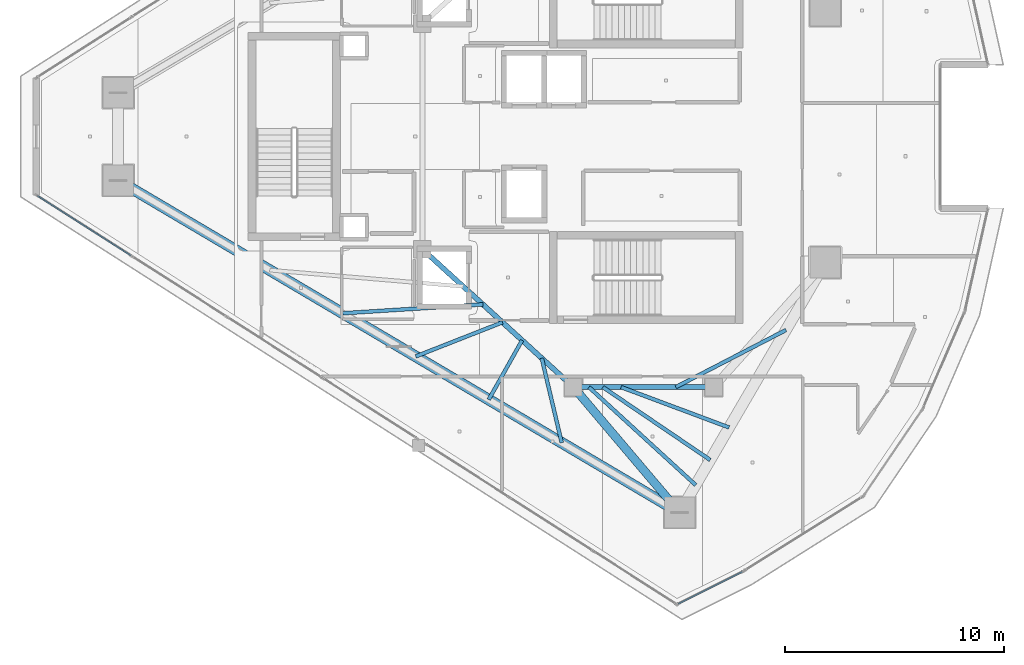
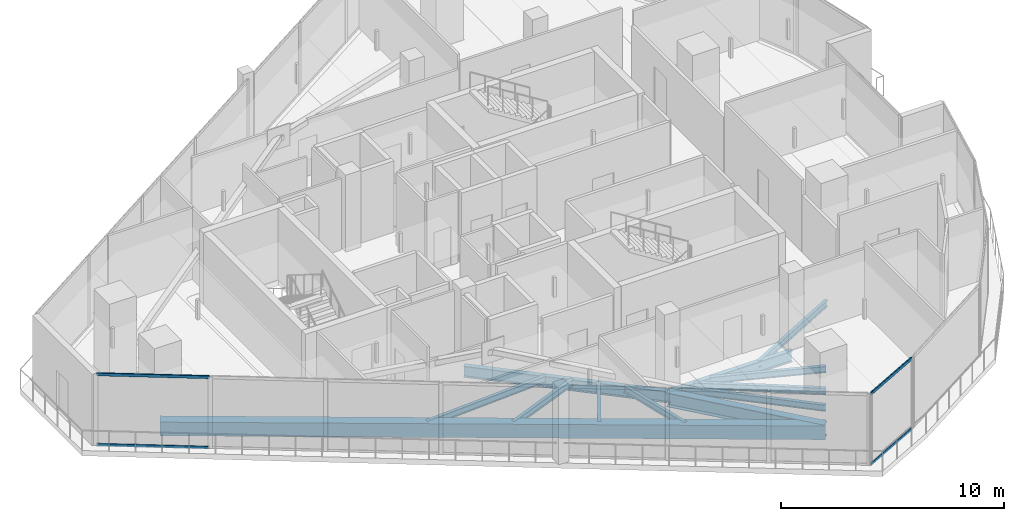
# One storey, part 5 of 25: 12 beams, 4 members, 2 elements without a shape of their own.
"""IFC4 building model written with IfcOpenShell, lengths in metres."""

from ifc_helpers import new_model, si_unit, direction, frame, origin, origin_2d, place, context, subcontext, project, spatial, rectangle, hollow_rectangle, i_section, extrude, material, layer, layer_set, material_profile, profile_set, type_object, element, aggregate, save


model = new_model("IFC4")

# Units and contexts
model_context = context("Model", 3, precision=1e-05, world=origin(), true_north=direction((0.0, 1.0)))
body_context = subcontext(model_context, "Body", "Model", "MODEL_VIEW")
ifc_project = project(units=[si_unit("LENGTHUNIT", "METRE"), si_unit("AREAUNIT", "SQUARE_METRE"), si_unit("VOLUMEUNIT", "CUBIC_METRE"), si_unit("PLANEANGLEUNIT", "RADIAN"), si_unit("MASSUNIT", "GRAM", prefix="KILO")], contexts=[model_context])

# Site, building, storey
site_placement = place(None, origin())
site = spatial("IfcSite", under=ifc_project, at=site_placement, CompositionType="ELEMENT")
building_placement = place(site_placement, origin())
building = spatial("IfcBuilding", under=site, at=building_placement, Name="Qorvath Tower", CompositionType="ELEMENT")
storey_placement = place(building_placement, frame((0.0, 0.0, 314.39990234375)))
storey = spatial("IfcBuildingStorey", under=building, at=storey_placement, Name="L73", CompositionType="ELEMENT", Elevation=314.39990234375)

# Beams
ifc_material_1 = material(Name="Steel ASTM A992 Grade 50", Category="steel")
ifc_material_profile_1 = material_profile(ifc_material_1, i_section(OverallWidth=0.381103515625, OverallDepth=0.77294921875, WebThickness=0.0166015625, FlangeThickness=0.027099609375, FilletRadius=0.01904296875, at=origin_2d()), Name="W30x173")
ifc_profile_set_1 = profile_set([ifc_material_profile_1], Name="Steel ASTM A992 Grade 50")
beam_type_1 = type_object("IfcBeamType", Name="BM-FG3", PredefinedType="BEAM", material=ifc_profile_set_1)
beam_1_placement = place(storey_placement, frame((-23.60009765625, -11.449951171875, -0.67626953125), z_axis=(0.646321389876, -0.763065305848, 0.0), x_axis=(0.763065305848, 0.646321389876, 0.0)))
element("IfcBeam", 1, at=beam_1_placement, inside=storey, type_object=beam_type_1, Name="Radial Floor Girder CC4-MC3 L73", PredefinedType="BEAM", context=body_context, shape_type="SweptSolid", body=[
    extrude(i_section(OverallWidth=0.381103515625, OverallDepth=0.77294921875, WebThickness=0.0166015625, FlangeThickness=0.027099609375, FilletRadius=0.01904296875, at=origin_2d()), origin(), (0.0, 0.0, 1.0), 7.50341796875),
])
ifc_material_2 = material(Name="Steel ASTM A992 Grade 50", Category="steel")
ifc_material_profile_2 = material_profile(ifc_material_2, i_section(OverallWidth=0.22998046875, OverallDepth=0.616943359375, WebThickness=0.01318359375, FlangeThickness=0.022216796875, FilletRadius=0.014892578125, at=origin_2d()), Name="W24x94")
ifc_profile_set_2 = profile_set([ifc_material_profile_2], Name="Steel ASTM A992 Grade 50")
beam_type_2 = type_object("IfcBeamType", Name="BM-FG6", PredefinedType="BEAM", material=ifc_profile_set_2)
beam_2_placement = place(storey_placement, frame((-17.199951171875, -11.449951171875, -0.598388671875), z_axis=(-1.0, 0.0, 0.0), x_axis=(0.0, -1.0, 0.0)))
element("IfcBeam", 2, at=beam_2_placement, inside=storey, type_object=beam_type_2, Name="Core Ring Girder CC3-CC4 L73", PredefinedType="BEAM", context=body_context, shape_type="SweptSolid", body=[
    extrude(i_section(OverallWidth=0.22998046875, OverallDepth=0.616943359375, WebThickness=0.01318359375, FlangeThickness=0.022216796875, FilletRadius=0.014892578125, at=origin_2d()), origin(), (0.0, 0.0, 1.0), 6.400146484375),
])
beam_3_placement = place(storey_placement, frame((-23.60009765625, -11.449951171875, -0.598388671875), z_axis=(-0.73847813985, 0.6742774184, 0.0), x_axis=(-0.6742774184, -0.73847813985, 0.0)))
element("IfcBeam", 3, at=beam_3_placement, inside=storey, type_object=beam_type_2, Name="Core Ring Girder CC4-CC6 L73", PredefinedType="BEAM", context=body_context, shape_type="SweptSolid", body=[
    extrude(i_section(OverallWidth=0.22998046875, OverallDepth=0.616943359375, WebThickness=0.01318359375, FlangeThickness=0.022216796875, FilletRadius=0.014892578125, at=origin_2d()), origin(), (0.0, 0.0, 1.0), 9.343505859375),
])
ifc_material_3 = material(Name="Steel ASTM A992 Grade 50", Category="steel")
ifc_material_profile_3 = material_profile(ifc_material_3, i_section(OverallWidth=0.1708984375, OverallDepth=0.35107421875, WebThickness=0.0068359375, FlangeThickness=0.009765625, FilletRadius=0.010009765625, at=origin_2d()), Name="W14x30")
ifc_profile_set_3 = profile_set([ifc_material_profile_3], Name="Steel ASTM A992 Grade 50")
beam_type_3 = type_object("IfcBeamType", Name="BM-FJ4", PredefinedType="JOIST", material=ifc_profile_set_3)
beam_4_placement = place(storey_placement, frame((-18.927978515625, -11.449951171875, -0.46533203125), z_axis=(0.887840529015, 0.460151274082, 0.0), x_axis=(-0.460151274082, 0.887840529015, 0.0)))
element("IfcBeam", 4, at=beam_4_placement, inside=storey, type_object=beam_type_3, Name="Composite Floor Joist SE2 L73", PredefinedType="JOIST", context=body_context, shape_type="SweptSolid", body=[
    extrude(i_section(OverallWidth=0.1708984375, OverallDepth=0.35107421875, WebThickness=0.0068359375, FlangeThickness=0.009765625, FilletRadius=0.010009765625, at=origin_2d()), origin(), (0.0, 0.0, 1.0), 5.670654296875),
])
beam_5_placement = place(storey_placement, frame((-21.424072265625, -11.449951171875, -0.46533203125), z_axis=(0.936775909139, -0.349929844478, 0.0), x_axis=(0.349929844478, 0.936775909139, 0.0)))
element("IfcBeam", 5, at=beam_5_placement, inside=storey, type_object=beam_type_3, Name="Composite Floor Joist SE5 L73", PredefinedType="JOIST", context=body_context, shape_type="SweptSolid", body=[
    extrude(i_section(OverallWidth=0.1708984375, OverallDepth=0.35107421875, WebThickness=0.0068359375, FlangeThickness=0.009765625, FilletRadius=0.010009765625, at=origin_2d()), origin(), (0.0, 0.0, 1.0), 5.268798828125),
])
beam_6_placement = place(storey_placement, frame((-22.256103515625, -11.449951171875, -0.46533203125), z_axis=(0.827400561462, -0.56161224247, 0.0), x_axis=(0.56161224247, 0.827400561462, 0.0)))
element("IfcBeam", 6, at=beam_6_placement, inside=storey, type_object=beam_type_3, Name="Composite Floor Joist SE6 L73", PredefinedType="JOIST", context=body_context, shape_type="SweptSolid", body=[
    extrude(i_section(OverallWidth=0.1708984375, OverallDepth=0.35107421875, WebThickness=0.0068359375, FlangeThickness=0.009765625, FilletRadius=0.010009765625, at=origin_2d()), origin(), (0.0, 0.0, 1.0), 5.925537109375),
])
beam_7_placement = place(storey_placement, frame((-22.89599609375, -11.449951171875, -0.46533203125), z_axis=(0.737232260457, -0.675639396528, 0.0), x_axis=(0.675639396528, 0.737232260457, 0.0)))
element("IfcBeam", 7, at=beam_7_placement, inside=storey, type_object=beam_type_3, Name="Composite Floor Joist SE7 L73", PredefinedType="JOIST", context=body_context, shape_type="SweptSolid", body=[
    extrude(i_section(OverallWidth=0.1708984375, OverallDepth=0.35107421875, WebThickness=0.0068359375, FlangeThickness=0.009765625, FilletRadius=0.010009765625, at=origin_2d()), origin(), (0.0, 0.0, 1.0), 6.615478515625),
])
beam_8_placement = place(storey_placement, frame((-27.739990234375, -7.669921875, -0.46533203125), z_axis=(-0.998006998641, -0.063103333222, 0.0), x_axis=(0.063103333222, -0.998006998641, 0.0)))
element("IfcBeam", 8, at=beam_8_placement, inside=storey, type_object=beam_type_3, Name="Composite Floor Joist SW3 L73", PredefinedType="JOIST", context=body_context, shape_type="SweptSolid", body=[
    extrude(i_section(OverallWidth=0.1708984375, OverallDepth=0.35107421875, WebThickness=0.0068359375, FlangeThickness=0.009765625, FilletRadius=0.010009765625, at=origin_2d()), origin(), (0.0, 0.0, 1.0), 6.41455078125),
])
beam_9_placement = place(storey_placement, frame((-26.843017578125, -8.489013671875, -0.46533203125), z_axis=(-0.930720832638, -0.365730408489, 0.0), x_axis=(0.365730408489, -0.930720832638, 0.0)))
element("IfcBeam", 9, at=beam_9_placement, inside=storey, type_object=beam_type_3, Name="Composite Floor Joist SW4 L73", PredefinedType="JOIST", context=body_context, shape_type="SweptSolid", body=[
    extrude(i_section(OverallWidth=0.1708984375, OverallDepth=0.35107421875, WebThickness=0.0068359375, FlangeThickness=0.009765625, FilletRadius=0.010009765625, at=origin_2d()), origin(), (0.0, 0.0, 1.0), 4.259033203125),
])
beam_10_placement = place(storey_placement, frame((-25.946044921875, -9.30810546875, -0.46533203125), z_axis=(-0.490626385489, -0.871370041866, 0.0), x_axis=(0.871370041866, -0.490626385489, 0.0)))
element("IfcBeam", 10, at=beam_10_placement, inside=storey, type_object=beam_type_3, Name="Composite Floor Joist SW5 L73", PredefinedType="JOIST", context=body_context, shape_type="SweptSolid", body=[
    extrude(i_section(OverallWidth=0.1708984375, OverallDepth=0.35107421875, WebThickness=0.0068359375, FlangeThickness=0.009765625, FilletRadius=0.010009765625, at=origin_2d()), origin(), (0.0, 0.0, 1.0), 3.110595703125),
])
beam_11_placement = place(storey_placement, frame((-25.049072265625, -10.126953125, -0.46533203125), z_axis=(0.22966321917, -0.973270160726, 0.0), x_axis=(0.973270160726, 0.22966321917, 0.0)))
element("IfcBeam", 11, at=beam_11_placement, inside=storey, type_object=beam_type_3, Name="Composite Floor Joist SW6 L73", PredefinedType="JOIST", context=body_context, shape_type="SweptSolid", body=[
    extrude(i_section(OverallWidth=0.1708984375, OverallDepth=0.35107421875, WebThickness=0.0068359375, FlangeThickness=0.009765625, FilletRadius=0.010009765625, at=origin_2d()), origin(), (0.0, 0.0, 1.0), 3.969482421875),
])
ifc_material_4 = material(Name="Concrete C45/55", Category="concrete")
ifc_material_profile_4 = material_profile(ifc_material_4, rectangle(XDim=0.5, YDim=0.75, at=origin_2d()), Name="RCB 750x500")
ifc_profile_set_4 = profile_set([ifc_material_profile_4], Name="Concrete C45/55")
beam_type_4 = type_object("IfcBeamType", Name="BM-RCB3", PredefinedType="SPANDREL", material=ifc_profile_set_4)
beam_12_placement = place(storey_placement, frame((-44.402587890625, -2.007568359375, -0.664794921875), z_axis=(0.860780849348, -0.508975765038, 0.0), x_axis=(0.508975765038, 0.860780849348, 0.0)))
element("IfcBeam", 12, at=beam_12_placement, inside=storey, type_object=beam_type_4, Name="Perimeter Loggia Frame Beam MC2-MC3 L73", PredefinedType="SPANDREL", context=body_context, shape_type="SweptSolid", body=[
    extrude(rectangle(XDim=0.5, YDim=0.75, at=origin_2d()), origin(), (0.0, 0.0, 1.0), 29.801025390625),
])

# Curtain wall, members
ifc_material_5 = material(Name="Anodised aluminium and triple low-E glass", Category="aluminium")
ifc_layer = layer(ifc_material_5, 0.179931640625)
ifc_layer_set = layer_set([ifc_layer], Name="CW-SYS-4")
curtain_wall_type = type_object("IfcCurtainWallType", Name="CW-SYS-4", PredefinedType="NOTDEFINED", material=ifc_layer_set)
curtain_wall_1_placement = place(storey_placement, origin())
curtain_wall_1 = element("IfcCurtainWall", 13, at=curtain_wall_1_placement, inside=storey, type_object=curtain_wall_type, Name="Curtain Wall CW-4 CW-T-L73-2.1", PredefinedType="NOTDEFINED")
ifc_material_6 = material(Name="Anodised aluminium 6063-T6", Category="aluminium")
ifc_material_profile_5 = material_profile(ifc_material_6, hollow_rectangle(XDim=0.06494140625, YDim=0.159912109375, WallThickness=0.00341796875, InnerFilletRadius=0.00341796875, OuterFilletRadius=0.007080078125, at=origin_2d()), Name="CWT 160x65")
ifc_profile_set_5 = profile_set([ifc_material_profile_5], Name="Anodised aluminium 6063-T6")
member_type = type_object("IfcMemberType", Name="CWT-160", PredefinedType="USERDEFINED", material=ifc_profile_set_5)
member_1_placement = place(storey_placement, frame((-48.08349609375, -2.71337890625, 0.032470703125), z_axis=(0.842609815083, -0.53852455796, 0.0), x_axis=(0.53852455796, 0.842609815083, 0.0)))
member_1 = element("IfcMember", 14, at=member_1_placement, type_object=member_type, Name="CW-4 transom 1.1", ObjectType="TRANSOM", PredefinedType="USERDEFINED", context=body_context, shape_type="SweptSolid", body=[
    extrude(hollow_rectangle(XDim=0.06494140625, YDim=0.159912109375, WallThickness=0.00341796875, InnerFilletRadius=0.00341796875, OuterFilletRadius=0.007080078125, at=origin_2d()), origin(), (0.0, 0.0, 1.0), 5.054931640625),
])
member_2_placement = place(storey_placement, frame((-48.08349609375, -2.71337890625, 3.877685546875), z_axis=(0.842609815083, -0.53852455796, 0.0), x_axis=(0.53852455796, 0.842609815083, 0.0)))
member_2 = element("IfcMember", 15, at=member_2_placement, type_object=member_type, Name="CW-4 transom 1.2", ObjectType="TRANSOM", PredefinedType="USERDEFINED", context=body_context, shape_type="SweptSolid", body=[
    extrude(hollow_rectangle(XDim=0.06494140625, YDim=0.159912109375, WallThickness=0.00341796875, InnerFilletRadius=0.00341796875, OuterFilletRadius=0.007080078125, at=origin_2d()), origin(), (0.0, 0.0, 1.0), 5.054931640625),
])
aggregate(curtain_wall_1, [member_1, member_2])

curtain_wall_2_placement = place(storey_placement, origin())
curtain_wall_2 = element("IfcCurtainWall", 16, at=curtain_wall_2_placement, inside=storey, type_object=curtain_wall_type, Name="Curtain Wall CW-4 CW-T-L73-3.1", PredefinedType="NOTDEFINED")
member_3_placement = place(storey_placement, frame((-18.80517578125, -21.349609375, 0.032470703125), z_axis=(0.894397281049, 0.447273410402, 0.0), x_axis=(-0.447273410402, 0.894397281049, 0.0)))
member_3 = element("IfcMember", 17, at=member_3_placement, type_object=member_type, Name="CW-4 transom 1.1", ObjectType="TRANSOM", PredefinedType="USERDEFINED", context=body_context, shape_type="SweptSolid", body=[
    extrude(hollow_rectangle(XDim=0.06494140625, YDim=0.159912109375, WallThickness=0.00341796875, InnerFilletRadius=0.00341796875, OuterFilletRadius=0.007080078125, at=origin_2d()), origin(), (0.0, 0.0, 1.0), 3.26513671875),
])
member_4_placement = place(storey_placement, frame((-18.80517578125, -21.349609375, 3.877685546875), z_axis=(0.894397281049, 0.447273410402, 0.0), x_axis=(-0.447273410402, 0.894397281049, 0.0)))
member_4 = element("IfcMember", 18, at=member_4_placement, type_object=member_type, Name="CW-4 transom 1.2", ObjectType="TRANSOM", PredefinedType="USERDEFINED", context=body_context, shape_type="SweptSolid", body=[
    extrude(hollow_rectangle(XDim=0.06494140625, YDim=0.159912109375, WallThickness=0.00341796875, InnerFilletRadius=0.00341796875, OuterFilletRadius=0.007080078125, at=origin_2d()), origin(), (0.0, 0.0, 1.0), 3.26513671875),
])
aggregate(curtain_wall_2, [member_3, member_4])

save(model, "model.ifc")
